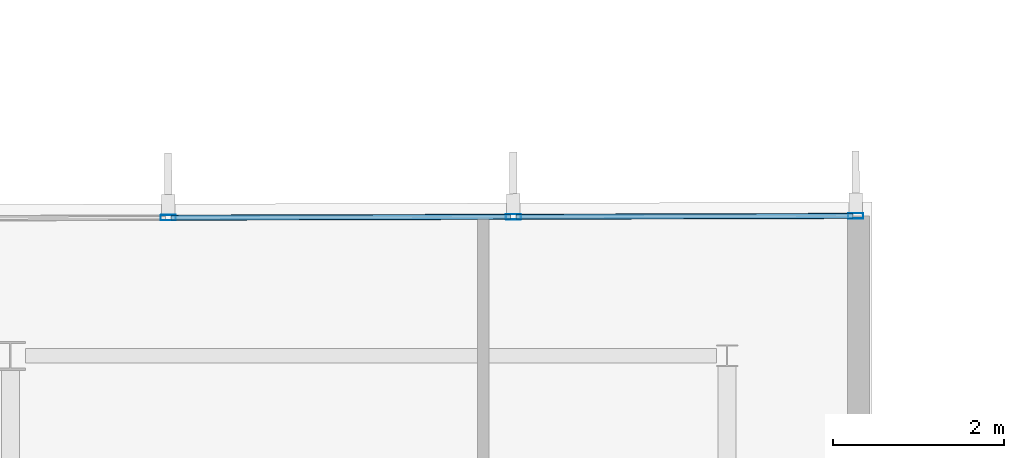
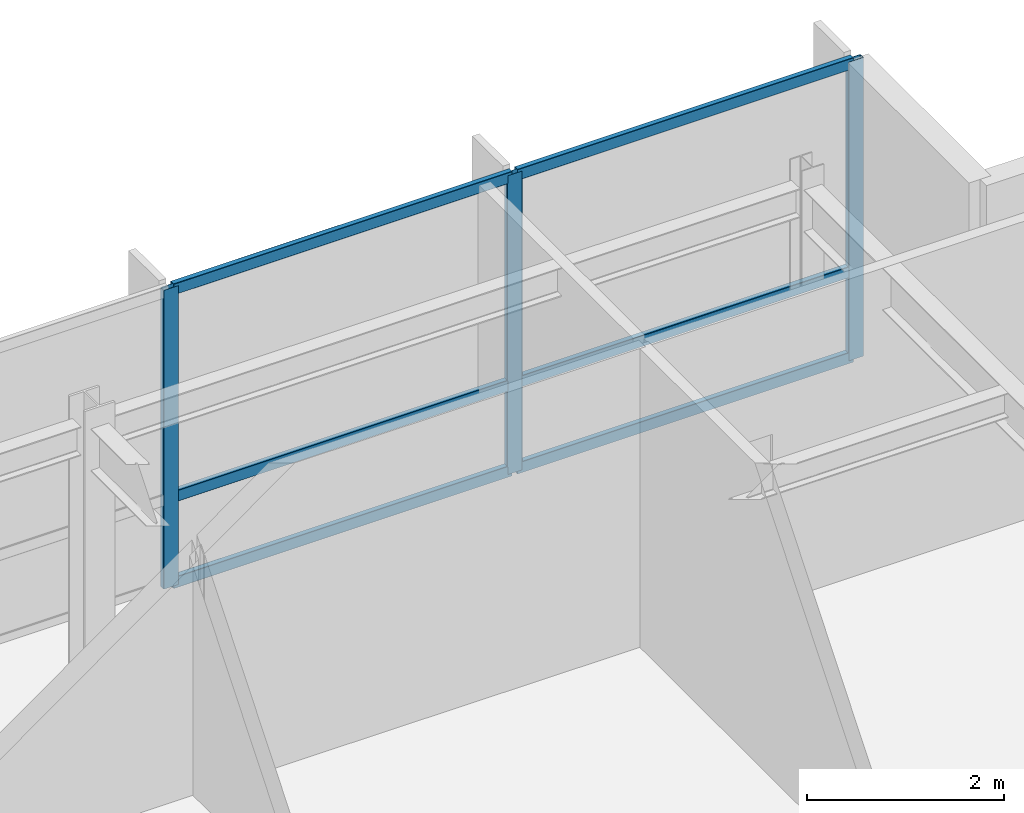
# One storey, part 8 of 15: 9 members, 1 element without a shape of its own.
"""IFC4 building model written with IfcOpenShell, lengths in metres."""

from ifc_helpers import new_model, si_unit, direction, frame, origin, origin_2d, place, context, subcontext, project, spatial, hollow_rectangle, extrude, material, layer, layer_set, material_profile, profile_set, type_object, element, aggregate, save


model = new_model("IFC4")

# Units and contexts
model_context = context("Model", 3, precision=1e-05, world=origin(), true_north=direction((0.0, 1.0)))
body_context = subcontext(model_context, "Body", "Model", "MODEL_VIEW")
ifc_project = project(units=[si_unit("LENGTHUNIT", "METRE"), si_unit("AREAUNIT", "SQUARE_METRE"), si_unit("VOLUMEUNIT", "CUBIC_METRE"), si_unit("PLANEANGLEUNIT", "RADIAN"), si_unit("MASSUNIT", "GRAM", prefix="KILO")], contexts=[model_context])

# Site, building, storey
site_placement = place(None, origin())
site = spatial("IfcSite", under=ifc_project, at=site_placement, CompositionType="ELEMENT")
building_placement = place(site_placement, origin())
building = spatial("IfcBuilding", under=site, at=building_placement, Name="Varnakote Quay Hospital", CompositionType="ELEMENT")
storey_placement = place(building_placement, frame((0.0, 0.0, 248.64990234375)))
storey = spatial("IfcBuildingStorey", under=building, at=storey_placement, Name="L61", CompositionType="ELEMENT", Elevation=248.64990234375)

# Curtain wall, members
ifc_material_1 = material(Name="Anodised aluminium 6063-T6 Bronze", Category="aluminium")
ifc_layer = layer(ifc_material_1, 0.235107421875)
ifc_layer_set = layer_set([ifc_layer], Name="Anodised aluminium 6063-T6 Bronze")
curtain_wall_type = type_object("IfcCurtainWallType", Name="CW-SYS-5", PredefinedType="NOTDEFINED", material=ifc_layer_set)
curtain_wall_placement = place(storey_placement, origin())
curtain_wall = element("IfcCurtainWall", 1, at=curtain_wall_placement, inside=storey, type_object=curtain_wall_type, Name="L61 Unitised Bronze Curtain Wall 1", PredefinedType="NOTDEFINED")
ifc_material_2 = material(Name="Anodised aluminium 6063-T6 Bronze", Category="aluminium")
ifc_material_profile_1 = material_profile(ifc_material_2, hollow_rectangle(XDim=0.06494140625, YDim=0.179931640625, WallThickness=0.00390625, InnerFilletRadius=0.00390625, OuterFilletRadius=0.008056640625, at=origin_2d()), Name="CW-MULL-180x65")
ifc_profile_set_1 = profile_set([ifc_material_profile_1], Name="Anodised aluminium 6063-T6 Bronze")
member_type_1 = type_object("IfcMemberType", Name="CW-MULL-180x65", PredefinedType="MULLION", material=ifc_profile_set_1)
member_1_placement = place(storey_placement, frame((43.507568359375, 30.439453125, 0.0), z_axis=(0.0, 0.0, 1.0), x_axis=(0.002604222224, -0.999996609008, 0.0)))
member_1 = element("IfcMember", 2, at=member_1_placement, type_object=member_type_1, Name="-5-L61-1 mullion 1", PredefinedType="MULLION", context=body_context, shape_type="SweptSolid", body=[
    extrude(hollow_rectangle(XDim=0.06494140625, YDim=0.179931640625, WallThickness=0.00390625, InnerFilletRadius=0.00390625, OuterFilletRadius=0.008056640625, at=origin_2d()), origin(), (0.0, 0.0, 1.0), 3.710205078125),
])
member_2_placement = place(storey_placement, frame((39.495361328125, 30.428955078125, 0.0), z_axis=(0.0, 0.0, 1.0), x_axis=(0.002604222224, -0.999996609008, 0.0)))
member_2 = element("IfcMember", 3, at=member_2_placement, type_object=member_type_1, Name="-5-L61-1 mullion 2", PredefinedType="MULLION", context=body_context, shape_type="SweptSolid", body=[
    extrude(hollow_rectangle(XDim=0.06494140625, YDim=0.179931640625, WallThickness=0.00390625, InnerFilletRadius=0.00390625, OuterFilletRadius=0.008056640625, at=origin_2d()), origin(), (0.0, 0.0, 1.0), 3.710205078125),
])
member_3_placement = place(storey_placement, frame((35.45068359375, 30.41845703125, 0.0), z_axis=(0.0, 0.0, 1.0), x_axis=(0.002604222224, -0.999996609008, 0.0)))
member_3 = element("IfcMember", 4, at=member_3_placement, type_object=member_type_1, Name="-5-L61-1 mullion 3", PredefinedType="MULLION", context=body_context, shape_type="SweptSolid", body=[
    extrude(hollow_rectangle(XDim=0.06494140625, YDim=0.179931640625, WallThickness=0.00390625, InnerFilletRadius=0.00390625, OuterFilletRadius=0.008056640625, at=origin_2d()), origin(), (0.0, 0.0, 1.0), 3.710205078125),
])
ifc_material_3 = material(Name="Anodised aluminium 6063-T6 Bronze", Category="aluminium")
ifc_material_profile_2 = material_profile(ifc_material_3, hollow_rectangle(XDim=0.06494140625, YDim=0.139892578125, WallThickness=0.00390625, InnerFilletRadius=0.00390625, OuterFilletRadius=0.007568359375, at=origin_2d()), Name="CW-TRAN-140x65")
ifc_profile_set_2 = profile_set([ifc_material_profile_2], Name="Anodised aluminium 6063-T6 Bronze")
member_type_2 = type_object("IfcMemberType", Name="CW-TRAN-140x65", PredefinedType="USERDEFINED", material=ifc_profile_set_2)
member_4_placement = place(storey_placement, frame((43.47509765625, 30.439453125, 0.03271484375), z_axis=(-0.999996625932, -0.002597715134, 0.0), x_axis=(0.002597715134, -0.999996625932, 0.0)))
member_4 = element("IfcMember", 5, at=member_4_placement, type_object=member_type_2, Name="-5-L61-1 transom 1.1", ObjectType="TRANSOM", PredefinedType="USERDEFINED", context=body_context, shape_type="SweptSolid", body=[
    extrude(hollow_rectangle(XDim=0.06494140625, YDim=0.139892578125, WallThickness=0.00390625, InnerFilletRadius=0.00390625, OuterFilletRadius=0.007568359375, at=origin_2d()), origin(), (0.0, 0.0, 1.0), 3.947265625),
])
member_5_placement = place(storey_placement, frame((43.47509765625, 30.439453125, 1.10009765625), z_axis=(-0.999996625932, -0.002597715134, 0.0), x_axis=(0.002597715134, -0.999996625932, 0.0)))
member_5 = element("IfcMember", 6, at=member_5_placement, type_object=member_type_2, Name="-5-L61-1 transom 1.2", ObjectType="TRANSOM", PredefinedType="USERDEFINED", context=body_context, shape_type="SweptSolid", body=[
    extrude(hollow_rectangle(XDim=0.06494140625, YDim=0.139892578125, WallThickness=0.00390625, InnerFilletRadius=0.00390625, OuterFilletRadius=0.007568359375, at=origin_2d()), origin(), (0.0, 0.0, 1.0), 3.947265625),
])
member_6_placement = place(storey_placement, frame((43.47509765625, 30.439453125, 3.677490234375), z_axis=(-0.999996625932, -0.002597715134, 0.0), x_axis=(0.002597715134, -0.999996625932, 0.0)))
member_6 = element("IfcMember", 7, at=member_6_placement, type_object=member_type_2, Name="-5-L61-1 transom 1.3", ObjectType="TRANSOM", PredefinedType="USERDEFINED", context=body_context, shape_type="SweptSolid", body=[
    extrude(hollow_rectangle(XDim=0.06494140625, YDim=0.139892578125, WallThickness=0.00390625, InnerFilletRadius=0.00390625, OuterFilletRadius=0.007568359375, at=origin_2d()), origin(), (0.0, 0.0, 1.0), 3.947265625),
])
member_7_placement = place(storey_placement, frame((39.462890625, 30.428955078125, 0.03271484375), z_axis=(-0.999996680766, -0.002576520495, 0.0), x_axis=(0.002576520495, -0.999996680766, 0.0)))
member_7 = element("IfcMember", 8, at=member_7_placement, type_object=member_type_2, Name="-5-L61-1 transom 2.1", ObjectType="TRANSOM", PredefinedType="USERDEFINED", context=body_context, shape_type="SweptSolid", body=[
    extrude(hollow_rectangle(XDim=0.06494140625, YDim=0.139892578125, WallThickness=0.00390625, InnerFilletRadius=0.00390625, OuterFilletRadius=0.007568359375, at=origin_2d()), origin(), (0.0, 0.0, 1.0), 3.979736328125),
])
member_8_placement = place(storey_placement, frame((39.462890625, 30.428955078125, 1.10009765625), z_axis=(-0.999996680766, -0.002576520495, 0.0), x_axis=(0.002576520495, -0.999996680766, 0.0)))
member_8 = element("IfcMember", 9, at=member_8_placement, type_object=member_type_2, Name="-5-L61-1 transom 2.2", ObjectType="TRANSOM", PredefinedType="USERDEFINED", context=body_context, shape_type="SweptSolid", body=[
    extrude(hollow_rectangle(XDim=0.06494140625, YDim=0.139892578125, WallThickness=0.00390625, InnerFilletRadius=0.00390625, OuterFilletRadius=0.007568359375, at=origin_2d()), origin(), (0.0, 0.0, 1.0), 3.979736328125),
])
member_9_placement = place(storey_placement, frame((39.462890625, 30.428955078125, 3.677490234375), z_axis=(-0.999996680766, -0.002576520495, 0.0), x_axis=(0.002576520495, -0.999996680766, 0.0)))
member_9 = element("IfcMember", 10, at=member_9_placement, type_object=member_type_2, Name="-5-L61-1 transom 2.3", ObjectType="TRANSOM", PredefinedType="USERDEFINED", context=body_context, shape_type="SweptSolid", body=[
    extrude(hollow_rectangle(XDim=0.06494140625, YDim=0.139892578125, WallThickness=0.00390625, InnerFilletRadius=0.00390625, OuterFilletRadius=0.007568359375, at=origin_2d()), origin(), (0.0, 0.0, 1.0), 3.979736328125),
])
aggregate(curtain_wall, [member_1, member_2, member_3, member_4, member_5, member_6, member_7, member_8, member_9])

save(model, "model.ifc")
